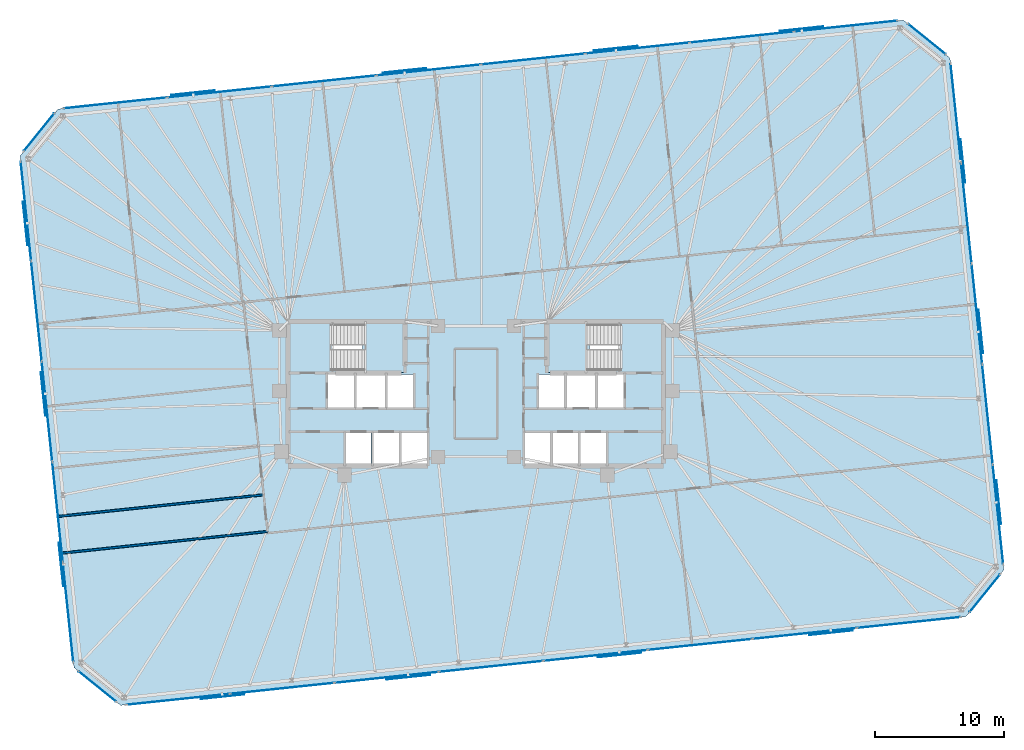
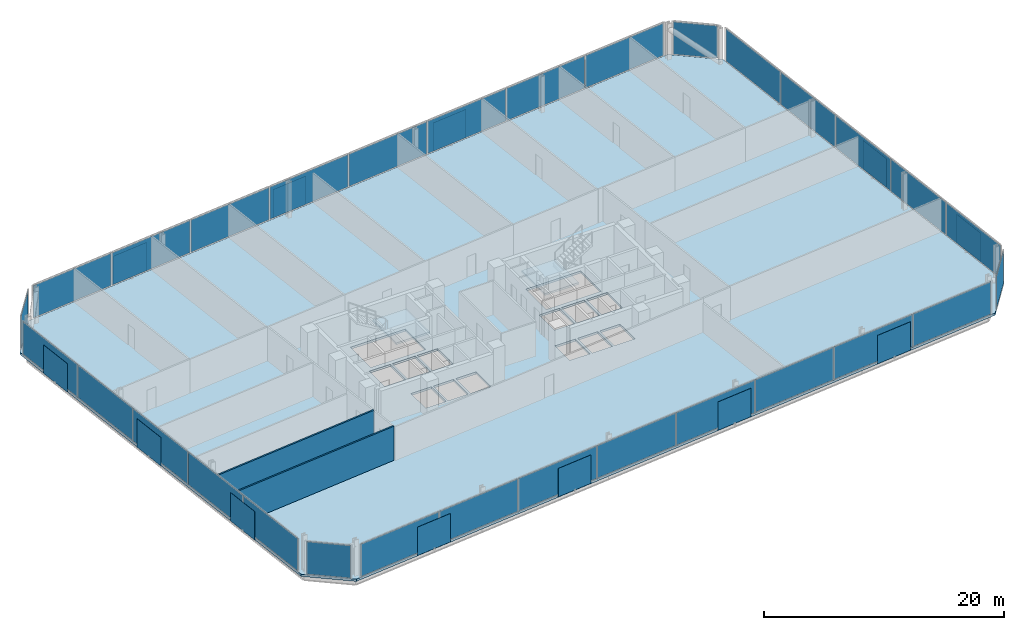
# One storey, part 13 of 18: 44 plates, 3 slabs, 2 walls, 10 elements without a shape of their own.
"""IFC4 building model written with IfcOpenShell, lengths in metres."""

from ifc_helpers import new_model, si_unit, direction, frame, frame_2d, origin, origin_2d, place, context, subcontext, project, spatial, polyline, rectangle, outline, extrude, material, layer, layer_set, type_object, element, aggregate, save


model = new_model("IFC4")

# Units and contexts
model_context = context("Model", 3, precision=1e-05, world=origin(), true_north=direction((0.0, 1.0)))
body_context = subcontext(model_context, "Body", "Model", "MODEL_VIEW")
ifc_project = project(units=[si_unit("LENGTHUNIT", "METRE"), si_unit("AREAUNIT", "SQUARE_METRE"), si_unit("VOLUMEUNIT", "CUBIC_METRE"), si_unit("PLANEANGLEUNIT", "RADIAN"), si_unit("MASSUNIT", "GRAM", prefix="KILO")], contexts=[model_context])

# Site, building, storey
site_placement = place(None, origin())
site = spatial("IfcSite", under=ifc_project, at=site_placement, CompositionType="ELEMENT")
building_placement = place(site_placement, origin())
building = spatial("IfcBuilding", under=site, at=building_placement, Name="Menara Jurai Vektor", CompositionType="ELEMENT")
storey_placement = place(building_placement, frame((0.0, 0.0, 128.10009765625)))
storey = spatial("IfcBuildingStorey", under=building, at=storey_placement, Name="L32", CompositionType="ELEMENT", Elevation=128.10009765625)

# Curtain wall, plates
ifc_material_1 = material(Name="Anodised Pale Aluminium & Low-E Double Glazing", Category="aluminium")
curtain_wall_type = type_object("IfcCurtainWallType", Name="CW-BLK2", PredefinedType="NOTDEFINED", material=ifc_material_1)
curtain_wall_1_placement = place(storey_placement, origin())
curtain_wall_1 = element("IfcCurtainWall", 1, at=curtain_wall_1_placement, inside=storey, type_object=curtain_wall_type, Name="Unitised Curtain Wall L32 F01", PredefinedType="NOTDEFINED")
ifc_material_2 = material(Name="Low-E Solar-Control Double Glazed Unit", Category="glass")
ifc_layer_1 = layer(ifc_material_2, 0.033935546875)
ifc_layer_set_1 = layer_set([ifc_layer_1], Name="Low-E Solar-Control Double Glazed Unit")
plate_type_1 = type_object("IfcPlateType", Name="CW-BLK2-PNL", PredefinedType="CURTAIN_PANEL", material=ifc_layer_set_1)
plate_1_placement = place(storey_placement, frame((-23.090087890625, -23.69921875, 0.08984375), z_axis=(0.0, 0.0, 1.0), x_axis=(0.994521877325, 0.104528634935, 0.0)))
plate_1 = element("IfcPlate", 2, at=plate_1_placement, type_object=plate_type_1, Name="CW-02 panel 1.1", PredefinedType="CURTAIN_PANEL", context=body_context, shape_type="SweptSolid", body=[
    extrude(rectangle(XDim=8.007568359375, YDim=0.033935546875, at=origin_2d()), origin(), (0.0, 0.0, 1.0), 3.294921875),
])
plate_2_placement = place(storey_placement, frame((-15.014404296875, -22.850341796875, 0.08984375), z_axis=(0.0, 0.0, 1.0), x_axis=(0.994521877325, 0.104528634935, 0.0)))
plate_2 = element("IfcPlate", 3, at=plate_2_placement, type_object=plate_type_1, Name="CW-02 panel 2.1", PredefinedType="CURTAIN_PANEL", context=body_context, shape_type="SweptSolid", body=[
    extrude(rectangle(XDim=8.052490234375, YDim=0.033935546875, at=origin_2d()), origin(), (0.0, 0.0, 1.0), 3.294921875),
])
plate_3_placement = place(storey_placement, frame((-6.91650390625, -21.999267578125, 0.08984375), z_axis=(0.0, 0.0, 1.0), x_axis=(0.994521877325, 0.104528634935, 0.0)))
plate_3 = element("IfcPlate", 4, at=plate_3_placement, type_object=plate_type_1, Name="CW-02 panel 3.1", PredefinedType="CURTAIN_PANEL", context=body_context, shape_type="SweptSolid", body=[
    extrude(rectangle(XDim=8.052490234375, YDim=0.033935546875, at=origin_2d()), origin(), (0.0, 0.0, 1.0), 3.294921875),
])
plate_4_placement = place(storey_placement, frame((1.181396484375, -21.148193359375, 0.08984375), z_axis=(0.0, 0.0, 1.0), x_axis=(0.994521877325, 0.104528634935, 0.0)))
plate_4 = element("IfcPlate", 5, at=plate_4_placement, type_object=plate_type_1, Name="CW-02 panel 4.1", PredefinedType="CURTAIN_PANEL", context=body_context, shape_type="SweptSolid", body=[
    extrude(rectangle(XDim=8.052490234375, YDim=0.033935546875, at=origin_2d()), origin(), (0.0, 0.0, 1.0), 3.294921875),
])
plate_5_placement = place(storey_placement, frame((9.279296875, -20.297119140625, 0.08984375), z_axis=(0.0, 0.0, 1.0), x_axis=(0.994521877325, 0.104528634935, 0.0)))
plate_5 = element("IfcPlate", 6, at=plate_5_placement, type_object=plate_type_1, Name="CW-02 panel 5.1", PredefinedType="CURTAIN_PANEL", context=body_context, shape_type="SweptSolid", body=[
    extrude(rectangle(XDim=8.052490234375, YDim=0.033935546875, at=origin_2d()), origin(), (0.0, 0.0, 1.0), 3.294921875),
])
plate_6_placement = place(storey_placement, frame((17.377197265625, -19.44580078125, 0.08984375), z_axis=(0.0, 0.0, 1.0), x_axis=(0.994521877325, 0.104528634935, 0.0)))
plate_6 = element("IfcPlate", 7, at=plate_6_placement, type_object=plate_type_1, Name="CW-02 panel 6.1", PredefinedType="CURTAIN_PANEL", context=body_context, shape_type="SweptSolid", body=[
    extrude(rectangle(XDim=8.052490234375, YDim=0.033935546875, at=origin_2d()), origin(), (0.0, 0.0, 1.0), 3.294921875),
])
plate_7_placement = place(storey_placement, frame((25.47509765625, -18.5947265625, 0.08984375), z_axis=(0.0, 0.0, 1.0), x_axis=(0.994521877325, 0.104528634935, 0.0)))
plate_7 = element("IfcPlate", 8, at=plate_7_placement, type_object=plate_type_1, Name="CW-02 panel 7.1", PredefinedType="CURTAIN_PANEL", context=body_context, shape_type="SweptSolid", body=[
    extrude(rectangle(XDim=8.052490234375, YDim=0.033935546875, at=origin_2d()), origin(), (0.0, 0.0, 1.0), 3.294921875),
])
plate_8_placement = place(storey_placement, frame((33.550537109375, -17.74609375, 0.08984375), z_axis=(0.0, 0.0, 1.0), x_axis=(0.994521877325, 0.104528634935, 0.0)))
plate_8 = element("IfcPlate", 9, at=plate_8_placement, type_object=plate_type_1, Name="CW-02 panel 8.1", PredefinedType="CURTAIN_PANEL", context=body_context, shape_type="SweptSolid", body=[
    extrude(rectangle(XDim=8.007568359375, YDim=0.033935546875, at=origin_2d()), origin(), (0.0, 0.0, 1.0), 3.294921875),
])
aggregate(curtain_wall_1, [plate_1, plate_2, plate_3, plate_4, plate_5, plate_6, plate_7, plate_8])

curtain_wall_2_placement = place(storey_placement, origin())
curtain_wall_2 = element("IfcCurtainWall", 10, at=curtain_wall_2_placement, inside=storey, type_object=curtain_wall_type, Name="Unitised Curtain Wall L32 F03", PredefinedType="NOTDEFINED")
plate_9_placement = place(storey_placement, frame((40.485595703125, -9.358642578125, 0.08984375), z_axis=(0.0, 0.0, 1.0), x_axis=(-0.104529576902, 0.99452177832, 0.0)))
plate_9 = element("IfcPlate", 11, at=plate_9_placement, type_object=plate_type_1, Name="CW-02 panel 1.1", PredefinedType="CURTAIN_PANEL", context=body_context, shape_type="SweptSolid", body=[
    extrude(rectangle(XDim=7.693115234375, YDim=0.033935546875, at=origin_2d()), origin(), (0.0, 0.0, 1.0), 3.294921875),
])
plate_10_placement = place(storey_placement, frame((39.669677734375, -1.595947265625, 0.08984375), z_axis=(0.0, 0.0, 1.0), x_axis=(-0.104529576902, 0.99452177832, 0.0)))
plate_10 = element("IfcPlate", 12, at=plate_10_placement, type_object=plate_type_1, Name="CW-02 panel 2.1", PredefinedType="CURTAIN_PANEL", context=body_context, shape_type="SweptSolid", body=[
    extrude(rectangle(XDim=7.738037109375, YDim=0.033935546875, at=origin_2d()), origin(), (0.0, 0.0, 1.0), 3.294921875),
])
plate_11_placement = place(storey_placement, frame((38.8515625, 6.189208984375, 0.08984375), z_axis=(0.0, 0.0, 1.0), x_axis=(-0.104529576902, 0.99452177832, 0.0)))
plate_11 = element("IfcPlate", 13, at=plate_11_placement, type_object=plate_type_1, Name="CW-02 panel 3.1", PredefinedType="CURTAIN_PANEL", context=body_context, shape_type="SweptSolid", body=[
    extrude(rectangle(XDim=7.738037109375, YDim=0.033935546875, at=origin_2d()), origin(), (0.0, 0.0, 1.0), 3.294921875),
])
plate_12_placement = place(storey_placement, frame((38.033203125, 13.974365234375, 0.08984375), z_axis=(0.0, 0.0, 1.0), x_axis=(-0.104529576902, 0.99452177832, 0.0)))
plate_12 = element("IfcPlate", 14, at=plate_12_placement, type_object=plate_type_1, Name="CW-02 panel 4.1", PredefinedType="CURTAIN_PANEL", context=body_context, shape_type="SweptSolid", body=[
    extrude(rectangle(XDim=7.738037109375, YDim=0.033935546875, at=origin_2d()), origin(), (0.0, 0.0, 1.0), 3.294921875),
])
plate_13_placement = place(storey_placement, frame((37.21728515625, 21.737060546875, 0.08984375), z_axis=(0.0, 0.0, 1.0), x_axis=(-0.104529576902, 0.99452177832, 0.0)))
plate_13 = element("IfcPlate", 15, at=plate_13_placement, type_object=plate_type_1, Name="CW-02 panel 5.1", PredefinedType="CURTAIN_PANEL", context=body_context, shape_type="SweptSolid", body=[
    extrude(rectangle(XDim=7.693115234375, YDim=0.033935546875, at=origin_2d()), origin(), (0.0, 0.0, 1.0), 3.294921875),
])
aggregate(curtain_wall_2, [plate_9, plate_10, plate_11, plate_12, plate_13])

curtain_wall_3_placement = place(storey_placement, origin())
curtain_wall_3 = element("IfcCurtainWall", 16, at=curtain_wall_3_placement, inside=storey, type_object=curtain_wall_type, Name="Unitised Curtain Wall L32 F05", PredefinedType="NOTDEFINED")
plate_14_placement = place(storey_placement, frame((28.68994140625, 28.499267578125, 0.08984375), z_axis=(0.0, 0.0, 1.0), x_axis=(-0.994521877325, -0.104528634935, 0.0)))
plate_14 = element("IfcPlate", 17, at=plate_14_placement, type_object=plate_type_1, Name="CW-02 panel 1.1", PredefinedType="CURTAIN_PANEL", context=body_context, shape_type="SweptSolid", body=[
    extrude(rectangle(XDim=8.007568359375, YDim=0.033935546875, at=origin_2d()), origin(), (0.0, 0.0, 1.0), 3.294921875),
])
plate_15_placement = place(storey_placement, frame((20.614501953125, 27.650390625, 0.08984375), z_axis=(0.0, 0.0, 1.0), x_axis=(-0.994521877325, -0.104528634935, 0.0)))
plate_15 = element("IfcPlate", 18, at=plate_15_placement, type_object=plate_type_1, Name="CW-02 panel 2.1", PredefinedType="CURTAIN_PANEL", context=body_context, shape_type="SweptSolid", body=[
    extrude(rectangle(XDim=8.052490234375, YDim=0.033935546875, at=origin_2d()), origin(), (0.0, 0.0, 1.0), 3.294921875),
])
plate_16_placement = place(storey_placement, frame((12.5166015625, 26.79931640625, 0.08984375), z_axis=(0.0, 0.0, 1.0), x_axis=(-0.994521877325, -0.104528634935, 0.0)))
plate_16 = element("IfcPlate", 19, at=plate_16_placement, type_object=plate_type_1, Name="CW-02 panel 3.1", PredefinedType="CURTAIN_PANEL", context=body_context, shape_type="SweptSolid", body=[
    extrude(rectangle(XDim=8.052490234375, YDim=0.033935546875, at=origin_2d()), origin(), (0.0, 0.0, 1.0), 3.294921875),
])
plate_17_placement = place(storey_placement, frame((4.418701171875, 25.9482421875, 0.08984375), z_axis=(0.0, 0.0, 1.0), x_axis=(-0.994521877325, -0.104528634935, 0.0)))
plate_17 = element("IfcPlate", 20, at=plate_17_placement, type_object=plate_type_1, Name="CW-02 panel 4.1", PredefinedType="CURTAIN_PANEL", context=body_context, shape_type="SweptSolid", body=[
    extrude(rectangle(XDim=8.052490234375, YDim=0.033935546875, at=origin_2d()), origin(), (0.0, 0.0, 1.0), 3.294921875),
])
plate_18_placement = place(storey_placement, frame((-3.67919921875, 25.096923828125, 0.08984375), z_axis=(0.0, 0.0, 1.0), x_axis=(-0.994521877325, -0.104528634935, 0.0)))
plate_18 = element("IfcPlate", 21, at=plate_18_placement, type_object=plate_type_1, Name="CW-02 panel 5.1", PredefinedType="CURTAIN_PANEL", context=body_context, shape_type="SweptSolid", body=[
    extrude(rectangle(XDim=8.052490234375, YDim=0.033935546875, at=origin_2d()), origin(), (0.0, 0.0, 1.0), 3.294921875),
])
plate_19_placement = place(storey_placement, frame((-11.777099609375, 24.245849609375, 0.08984375), z_axis=(0.0, 0.0, 1.0), x_axis=(-0.994521877325, -0.104528634935, 0.0)))
plate_19 = element("IfcPlate", 22, at=plate_19_placement, type_object=plate_type_1, Name="CW-02 panel 6.1", PredefinedType="CURTAIN_PANEL", context=body_context, shape_type="SweptSolid", body=[
    extrude(rectangle(XDim=8.052490234375, YDim=0.033935546875, at=origin_2d()), origin(), (0.0, 0.0, 1.0), 3.294921875),
])
plate_20_placement = place(storey_placement, frame((-19.875, 23.394775390625, 0.08984375), z_axis=(0.0, 0.0, 1.0), x_axis=(-0.994521877325, -0.104528634935, 0.0)))
plate_20 = element("IfcPlate", 23, at=plate_20_placement, type_object=plate_type_1, Name="CW-02 panel 7.1", PredefinedType="CURTAIN_PANEL", context=body_context, shape_type="SweptSolid", body=[
    extrude(rectangle(XDim=8.052490234375, YDim=0.033935546875, at=origin_2d()), origin(), (0.0, 0.0, 1.0), 3.294921875),
])
plate_21_placement = place(storey_placement, frame((-27.95068359375, 22.5458984375, 0.08984375), z_axis=(0.0, 0.0, 1.0), x_axis=(-0.994521877325, -0.104528634935, 0.0)))
plate_21 = element("IfcPlate", 24, at=plate_21_placement, type_object=plate_type_1, Name="CW-02 panel 8.1", PredefinedType="CURTAIN_PANEL", context=body_context, shape_type="SweptSolid", body=[
    extrude(rectangle(XDim=8.007568359375, YDim=0.033935546875, at=origin_2d()), origin(), (0.0, 0.0, 1.0), 3.294921875),
])
aggregate(curtain_wall_3, [plate_14, plate_15, plate_16, plate_17, plate_18, plate_19, plate_20, plate_21])

curtain_wall_4_placement = place(storey_placement, origin())
curtain_wall_4 = element("IfcCurtainWall", 25, at=curtain_wall_4_placement, inside=storey, type_object=curtain_wall_type, Name="Unitised Curtain Wall L32 F07", PredefinedType="NOTDEFINED")
plate_22_placement = place(storey_placement, frame((-34.885498046875, 14.15869140625, 0.08984375), z_axis=(0.0, 0.0, 1.0), x_axis=(0.104529576902, -0.99452177832, 0.0)))
plate_22 = element("IfcPlate", 26, at=plate_22_placement, type_object=plate_type_1, Name="CW-02 panel 1.1", PredefinedType="CURTAIN_PANEL", context=body_context, shape_type="SweptSolid", body=[
    extrude(rectangle(XDim=7.693115234375, YDim=0.033935546875, at=origin_2d()), origin(), (0.0, 0.0, 1.0), 3.294921875),
])
plate_23_placement = place(storey_placement, frame((-34.06982421875, 6.39599609375, 0.08984375), z_axis=(0.0, 0.0, 1.0), x_axis=(0.104529576902, -0.99452177832, 0.0)))
plate_23 = element("IfcPlate", 27, at=plate_23_placement, type_object=plate_type_1, Name="CW-02 panel 2.1", PredefinedType="CURTAIN_PANEL", context=body_context, shape_type="SweptSolid", body=[
    extrude(rectangle(XDim=7.738037109375, YDim=0.033935546875, at=origin_2d()), origin(), (0.0, 0.0, 1.0), 3.294921875),
])
plate_24_placement = place(storey_placement, frame((-33.25146484375, -1.38916015625, 0.08984375), z_axis=(0.0, 0.0, 1.0), x_axis=(0.104529576902, -0.99452177832, 0.0)))
plate_24 = element("IfcPlate", 28, at=plate_24_placement, type_object=plate_type_1, Name="CW-02 panel 3.1", PredefinedType="CURTAIN_PANEL", context=body_context, shape_type="SweptSolid", body=[
    extrude(rectangle(XDim=7.738037109375, YDim=0.033935546875, at=origin_2d()), origin(), (0.0, 0.0, 1.0), 3.294921875),
])
plate_25_placement = place(storey_placement, frame((-32.43310546875, -9.17431640625, 0.08984375), z_axis=(0.0, 0.0, 1.0), x_axis=(0.104529576902, -0.99452177832, 0.0)))
plate_25 = element("IfcPlate", 29, at=plate_25_placement, type_object=plate_type_1, Name="CW-02 panel 4.1", PredefinedType="CURTAIN_PANEL", context=body_context, shape_type="SweptSolid", body=[
    extrude(rectangle(XDim=7.738037109375, YDim=0.033935546875, at=origin_2d()), origin(), (0.0, 0.0, 1.0), 3.294921875),
])
plate_26_placement = place(storey_placement, frame((-31.6171875, -16.93701171875, 0.08984375), z_axis=(0.0, 0.0, 1.0), x_axis=(0.104529576902, -0.99452177832, 0.0)))
plate_26 = element("IfcPlate", 30, at=plate_26_placement, type_object=plate_type_1, Name="CW-02 panel 5.1", PredefinedType="CURTAIN_PANEL", context=body_context, shape_type="SweptSolid", body=[
    extrude(rectangle(XDim=7.693115234375, YDim=0.033935546875, at=origin_2d()), origin(), (0.0, 0.0, 1.0), 3.294921875),
])
aggregate(curtain_wall_4, [plate_22, plate_23, plate_24, plate_25, plate_26])

# Curtain wall, plate
curtain_wall_5_placement = place(storey_placement, origin())
curtain_wall_5 = element("IfcCurtainWall", 31, at=curtain_wall_5_placement, inside=storey, type_object=curtain_wall_type, Name="Unitised Curtain Wall L32 F02", PredefinedType="NOTDEFINED")
ifc_material_3 = material(Name="Insulated Pale Aluminium Spandrel Panel", Category="aluminium")
ifc_layer_2 = layer(ifc_material_3, 0.06005859375)
ifc_layer_set_2 = layer_set([ifc_layer_2], Name="Insulated Pale Aluminium Spandrel Panel")
plate_type_2 = type_object("IfcPlateType", Name="CW-PNL-SP", PredefinedType="CURTAIN_PANEL", material=ifc_layer_set_2)
plate_27_placement = place(storey_placement, frame((39.46826171875, -15.465087890625, 0.08984375), z_axis=(0.0, 0.0, 1.0), x_axis=(0.62934106172, 0.777129222223, 0.0)))
plate_27 = element("IfcPlate", 32, at=plate_27_placement, type_object=plate_type_2, Name="CW-02 panel 1.1", PredefinedType="CURTAIN_PANEL", context=body_context, shape_type="SweptSolid", body=[
    extrude(rectangle(XDim=3.72705078125, YDim=0.06005859375, at=origin_2d()), origin(), (0.0, 0.0, 1.0), 3.294921875),
])
aggregate(curtain_wall_5, [plate_27])

curtain_wall_6_placement = place(storey_placement, origin())
curtain_wall_6 = element("IfcCurtainWall", 33, at=curtain_wall_6_placement, inside=storey, type_object=curtain_wall_type, Name="Unitised Curtain Wall L32 F04", PredefinedType="NOTDEFINED")
plate_28_placement = place(storey_placement, frame((34.95263671875, 27.498291015625, 0.08984375), z_axis=(0.0, 0.0, 1.0), x_axis=(-0.777151877437, 0.629313085353, 0.0)))
plate_28 = element("IfcPlate", 34, at=plate_28_placement, type_object=plate_type_2, Name="CW-02 panel 1.1", PredefinedType="CURTAIN_PANEL", context=body_context, shape_type="SweptSolid", body=[
    extrude(rectangle(XDim=3.72705078125, YDim=0.06005859375, at=origin_2d()), origin(), (0.0, 0.0, 1.0), 3.294921875),
])
aggregate(curtain_wall_6, [plate_28])

curtain_wall_7_placement = place(storey_placement, origin())
curtain_wall_7 = element("IfcCurtainWall", 35, at=curtain_wall_7_placement, inside=storey, type_object=curtain_wall_type, Name="Unitised Curtain Wall L32 F06", PredefinedType="NOTDEFINED")
plate_29_placement = place(storey_placement, frame((-33.868408203125, 20.264892578125, 0.08984375), z_axis=(0.0, 0.0, 1.0), x_axis=(-0.62934106172, -0.777129222223, 0.0)))
plate_29 = element("IfcPlate", 36, at=plate_29_placement, type_object=plate_type_2, Name="CW-02 panel 1.1", PredefinedType="CURTAIN_PANEL", context=body_context, shape_type="SweptSolid", body=[
    extrude(rectangle(XDim=3.72705078125, YDim=0.06005859375, at=origin_2d()), origin(), (0.0, 0.0, 1.0), 3.294921875),
])
aggregate(curtain_wall_7, [plate_29])

curtain_wall_8_placement = place(storey_placement, origin())
curtain_wall_8 = element("IfcCurtainWall", 37, at=curtain_wall_8_placement, inside=storey, type_object=curtain_wall_type, Name="Unitised Curtain Wall L32 F08", PredefinedType="NOTDEFINED")
plate_30_placement = place(storey_placement, frame((-29.3525390625, -22.6982421875, 0.08984375), z_axis=(0.0, 0.0, 1.0), x_axis=(0.777151877437, -0.629313085353, 0.0)))
plate_30 = element("IfcPlate", 38, at=plate_30_placement, type_object=plate_type_2, Name="CW-02 panel 1.1", PredefinedType="CURTAIN_PANEL", context=body_context, shape_type="SweptSolid", body=[
    extrude(rectangle(XDim=3.72705078125, YDim=0.06005859375, at=origin_2d()), origin(), (0.0, 0.0, 1.0), 3.294921875),
])
aggregate(curtain_wall_8, [plate_30])

# Plates
ifc_material_4 = material(Name="Anodised Pale Aluminium Perforated Screen", Category="aluminium")
ifc_layer_3 = layer(ifc_material_4, 0.02392578125)
ifc_layer_set_3 = layer_set([ifc_layer_3], Name="Anodised Pale Aluminium Perforated Screen")
plate_type_3 = type_object("IfcPlateType", Name="ENV-PLT-SCREEN", PredefinedType="USERDEFINED", material=ifc_layer_set_3)
for number, where, z_axis, x_axis, name in (
    (39, (-19.65771484375, -23.499267578125, -0.050048828125), (0.0, 0.0, 1.0), (0.994521895368, 0.104528463268, 0.0), "Perforated Pale-Metal Solar Screen L32-S01"),
    (40, (-5.2392578125, -21.98388671875, -0.050048828125), (0.0, 0.0, 1.0), (0.994521895368, 0.104528463268, 0.0), "Perforated Pale-Metal Solar Screen L32-S02"),
    (41, (11.1455078125, -20.26171875, -0.050048828125), (0.0, 0.0, 1.0), (0.994521895368, 0.104528463268, 0.0), "Perforated Pale-Metal Solar Screen L32-S03"),
    (42, (27.5302734375, -18.539794921875, -0.050048828125), (0.0, 0.0, 1.0), (0.994521895368, 0.104528463268, 0.0), "Perforated Pale-Metal Solar Screen L32-S04"),
    (43, (40.546875, -8.41015625, -0.050048828125), (0.0, 0.0, 1.0), (-0.104528463268, 0.994521895368, 0.0), "Perforated Pale-Metal Solar Screen L32-S05"),
    (44, (39.156494140625, 4.81689453125, -0.050048828125), (0.0, 0.0, 1.0), (-0.104528463268, 0.994521895368, 0.0), "Perforated Pale-Metal Solar Screen L32-S06"),
    (45, (37.766357421875, 18.044189453125, -0.050048828125), (0.0, 0.0, 1.0), (-0.104528463268, 0.994521895368, 0.0), "Perforated Pale-Metal Solar Screen L32-S07"),
    (46, (25.2578125, 28.29931640625, -0.050048828125), (0.0, 0.0, 1.0), (-0.994521895368, -0.104528463268, 0.0), "Perforated Pale-Metal Solar Screen L32-S08"),
    (47, (10.839111328125, 26.783935546875, -0.050048828125), (0.0, 0.0, 1.0), (-0.994521895368, -0.104528463268, 0.0), "Perforated Pale-Metal Solar Screen L32-S09"),
    (48, (-5.54541015625, 25.061767578125, -0.050048828125), (0.0, 0.0, 1.0), (-0.994521895368, -0.104528463268, 0.0), "Perforated Pale-Metal Solar Screen L32-S10"),
    (49, (-21.930419921875, 23.339599609375, -0.050048828125), (0.0, 0.0, 1.0), (-0.994521895368, -0.104528463268, 0.0), "Perforated Pale-Metal Solar Screen L32-S11"),
    (50, (-34.94677734375, 13.210205078125, -0.050048828125), (0.0, 0.0, 1.0), (0.104528463268, -0.994521895368, 0.0), "Perforated Pale-Metal Solar Screen L32-S12"),
    (51, (-33.556396484375, -0.01708984375, -0.050048828125), (0.0, 0.0, 1.0), (0.104528463268, -0.994521895368, 0.0), "Perforated Pale-Metal Solar Screen L32-S13"),
    (52, (-32.166259765625, -13.244140625, -0.050048828125), (0.0, 0.0, 1.0), (0.104528463268, -0.994521895368, 0.0), "Perforated Pale-Metal Solar Screen L32-S14"),
):
    element("IfcPlate", number, at=place(storey_placement, frame(where, z_axis=z_axis, x_axis=x_axis)), inside=storey, type_object=plate_type_3, Name=name, ObjectType="SCREEN", PredefinedType="USERDEFINED", context=body_context, shape_type="SweptSolid", body=[
        extrude(rectangle(XDim=3.39990234375, YDim=0.02392578125, at=origin_2d()), origin(), (0.0, 0.0, 1.0), 2.89990234375),
    ])

# Stair, slab
ifc_material_5 = material(Name="Concrete C40/50", Category="concrete")
stair_type = type_object("IfcStairType", Name="STAIR-DOGLEG-1500", PredefinedType="HALF_TURN_STAIR", material=ifc_material_5)
stair_1_placement = place(storey_placement, origin())
stair_1 = element("IfcStair", 53, at=stair_1_placement, inside=storey, type_object=stair_type, Name="Protected Exit Stair ST1 L32", PredefinedType="HALF_TURN_STAIR")
ifc_layer_4 = layer(ifc_material_5, 0.199951171875)
ifc_layer_set_4 = layer_set([ifc_layer_4], Name="Concrete C40/50")
slab_type_1 = type_object("IfcSlabType", Name="STAIR-LANDING-200", PredefinedType="LANDING", material=ifc_layer_set_4)
slab_1_placement = place(storey_placement, frame((0.0, 0.0, 1.64990234375)))
slab_1 = element("IfcSlab", 54, at=slab_1_placement, type_object=slab_type_1, Name="ST1 landing 1", PredefinedType="LANDING", context=body_context, shape_type="SweptSolid", body=[
    extrude(outline(polyline([(-8.800048828125, 1.64990234375), (-5.550048828125, 1.64990234375), (-5.550048828125, 5.550048828125), (-8.800048828125, 5.550048828125), (-8.800048828125, 1.64990234375)])), origin(), (0.0, 0.0, 1.0), 0.199951171875),
])
aggregate(stair_1, [slab_1])

stair_2_placement = place(storey_placement, origin())
stair_2 = element("IfcStair", 55, at=stair_2_placement, inside=storey, type_object=stair_type, Name="Protected Exit Stair ST2 L32", PredefinedType="HALF_TURN_STAIR")
slab_2_placement = place(storey_placement, frame((0.0, 0.0, 1.64990234375)))
slab_2 = element("IfcSlab", 56, at=slab_2_placement, type_object=slab_type_1, Name="ST2 landing 1", PredefinedType="LANDING", context=body_context, shape_type="SweptSolid", body=[
    extrude(outline(polyline([(5.550048828125, 1.64990234375), (8.800048828125, 1.64990234375), (8.800048828125, 5.550048828125), (5.550048828125, 5.550048828125), (5.550048828125, 1.64990234375)])), origin(), (0.0, 0.0, 1.0), 0.199951171875),
])
aggregate(stair_2, [slab_2])

# Slab
ifc_layer_5 = layer(ifc_material_5, 0.22509765625)
ifc_layer_set_5 = layer_set([ifc_layer_5], Name="Concrete C40/50")
slab_type_2 = type_object("IfcSlabType", Name="STR-SLAB-TYP200", PredefinedType="FLOOR", material=ifc_layer_set_5)
slab_3_placement = place(storey_placement, frame((0.0, 0.0, -0.22509765625)))
element("IfcSlab", 57, at=slab_3_placement, inside=storey, type_object=slab_type_2, Name="Composite Floor Slab L32", PredefinedType="FLOOR", context=body_context, shape_type="SweptSolid", body=[
    extrude(outline(polyline([(-27.539306640625, -24.166748046875), (37.999755859375, -17.2783203125), (40.936767578125, -13.651611328125), (36.76611328125, 26.02978515625), (33.13916015625, 28.966796875), (-32.39990234375, 22.078369140625), (-35.3369140625, 18.45166015625), (-31.166015625, -21.22998046875), (-27.539306640625, -24.166748046875)]), holes=[polyline([(-11.10009765625, 1.89990234375), (-11.10009765625, 5.300048828125), (-5.800048828125, 5.300048828125), (-5.800048828125, 1.89990234375), (-11.10009765625, 1.89990234375)]), polyline([(5.800048828125, 1.89990234375), (5.800048828125, 5.300048828125), (11.10009765625, 5.300048828125), (11.10009765625, 1.89990234375), (5.800048828125, 1.89990234375)]), polyline([(-11.449951171875, -1.050048828125), (-11.449951171875, 1.5), (-9.449951171875, 1.5), (-9.449951171875, -1.050048828125), (-11.449951171875, -1.050048828125)]), polyline([(9.449951171875, -1.050048828125), (9.449951171875, 1.5), (11.449951171875, 1.5), (11.449951171875, -1.050048828125), (9.449951171875, -1.050048828125)]), polyline([(-5.760009765625, -5.5), (-5.760009765625, -3.050048828125), (-3.800048828125, -3.050048828125), (-3.800048828125, -5.5), (-5.760009765625, -5.5)]), polyline([(-6.85009765625, -1.050048828125), (-6.85009765625, 1.5), (-4.889892578125, 1.5), (-4.889892578125, -1.050048828125), (-6.85009765625, -1.050048828125)]), polyline([(3.800048828125, -5.5), (3.800048828125, -3.050048828125), (5.760009765625, -3.050048828125), (5.760009765625, -5.5), (3.800048828125, -5.5)]), polyline([(4.889892578125, -1.050048828125), (4.889892578125, 1.5), (6.85009765625, 1.5), (6.85009765625, -1.050048828125), (4.889892578125, -1.050048828125)]), polyline([(-10.080078125, -5.5), (-10.080078125, -3.050048828125), (-8.1201171875, -3.050048828125), (-8.1201171875, -5.5), (-10.080078125, -5.5)]), polyline([(-7.919921875, -5.5), (-7.919921875, -3.050048828125), (-5.9599609375, -3.050048828125), (-5.9599609375, -5.5), (-7.919921875, -5.5)]), polyline([(5.9599609375, -5.5), (5.9599609375, -3.050048828125), (7.919921875, -3.050048828125), (7.919921875, -5.5), (5.9599609375, -5.5)]), polyline([(8.1201171875, -5.5), (8.1201171875, -3.050048828125), (10.080078125, -3.050048828125), (10.080078125, -5.5), (8.1201171875, -5.5)]), polyline([(-9.25, -1.050048828125), (-9.25, 1.5), (-7.050048828125, 1.5), (-7.050048828125, -1.050048828125), (-9.25, -1.050048828125)]), polyline([(7.050048828125, -1.050048828125), (7.050048828125, 1.5), (9.25, 1.5), (9.25, -1.050048828125), (7.050048828125, -1.050048828125)])]), origin(), (0.0, 0.0, 1.0), 0.22509765625),
])

# Walls
ifc_material_6 = material(Name="Gypsum Fireboard Partition", Category="gypsum")
ifc_layer_6 = layer(ifc_material_6, 0.14990234375)
ifc_layer_set_6 = layer_set([ifc_layer_6], Name="Gypsum Fireboard Partition")
wall_type = type_object("IfcWallType", Name="INT-WALL-CORR-150", PredefinedType="PARTITIONING", material=ifc_layer_set_6)
wall_1_placement = place(storey_placement, frame((-32.0986328125, -12.357666015625, 0.0), z_axis=(0.0, 0.0, 1.0), x_axis=(0.994522794159, 0.104519911488, 0.0)))
element("IfcWall", 58, at=wall_1_placement, inside=storey, type_object=wall_type, Name="Interior Wall IW-150 L32", PredefinedType="PARTITIONING", context=body_context, shape_type="SweptSolid", body=[
    extrude(rectangle(XDim=16.033203125, YDim=0.14990234375, at=frame_2d((8.0166015625, 0.0))), origin(), (0.0, 0.0, 1.0), 3.474853515625),
])
wall_2_placement = place(storey_placement, frame((-32.3974609375, -9.514404296875, 0.0), z_axis=(0.0, 0.0, 1.0), x_axis=(0.994521044813, 0.104536555445, 0.0)))
element("IfcWall", 59, at=wall_2_placement, inside=storey, type_object=wall_type, Name="Interior Wall IW-150 L32", PredefinedType="PARTITIONING", context=body_context, shape_type="SweptSolid", body=[
    extrude(rectangle(XDim=16.032958984375, YDim=0.14990234375, at=frame_2d((8.0166015625, 0.0))), origin(), (0.0, 0.0, 1.0), 3.474853515625),
])

save(model, "model.ifc")
